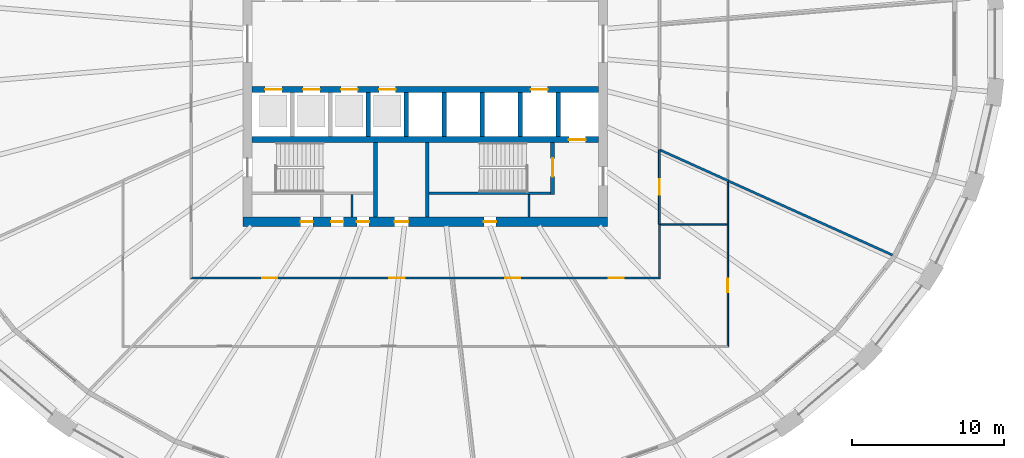
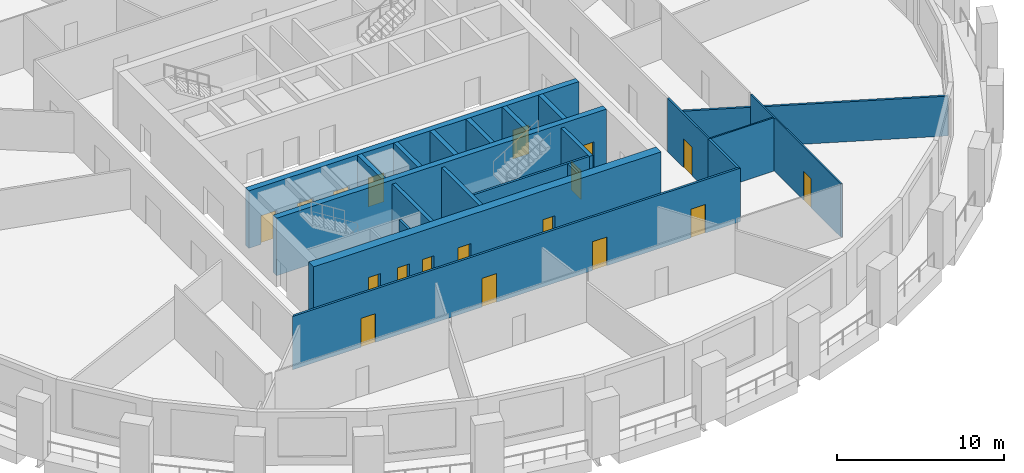
# One storey, part 4 of 11: 22 walls, 18 doors, 18 openings.
"""IFC4 building model written with IfcOpenShell, lengths in metres."""

from ifc_helpers import new_model, si_unit, direction, frame, frame_2d, origin, place, context, subcontext, project, spatial, polyline, rectangle, outline, extrude, material, layer, layer_set, type_object, element, fill, save


model = new_model("IFC4")

# Units and contexts
model_context = context("Model", 3, precision=1e-05, world=origin(), true_north=direction((0.0, 1.0)))
body_context = subcontext(model_context, "Body", "Model", "MODEL_VIEW")
ifc_project = project(units=[si_unit("LENGTHUNIT", "METRE"), si_unit("AREAUNIT", "SQUARE_METRE"), si_unit("VOLUMEUNIT", "CUBIC_METRE"), si_unit("PLANEANGLEUNIT", "RADIAN"), si_unit("MASSUNIT", "GRAM", prefix="KILO")], contexts=[model_context])

# Site, building, storey
site_placement = place(None, origin())
site = spatial("IfcSite", under=ifc_project, at=site_placement, CompositionType="ELEMENT")
building_placement = place(site_placement, origin())
building = spatial("IfcBuilding", under=site, at=building_placement, Name="Halqa Exchange Tower", CompositionType="ELEMENT")
storey_placement = place(building_placement, frame((0.0, 0.0, 36.10009765625)))
storey = spatial("IfcBuildingStorey", under=building, at=storey_placement, Name="L07", CompositionType="ELEMENT", Elevation=36.10009765625)

# Wall, openings, doors
ifc_material_1 = material(Name="Fire-rated gypsum board")
ifc_layer_1 = layer(ifc_material_1, 0.14990234375)
ifc_layer_set_1 = layer_set([ifc_layer_1], Name="Fire-rated gypsum board")
wall_type_1 = type_object("IfcWallType", Name="Fire partition EI 60 150", PredefinedType="PARTITIONING", material=ifc_layer_set_1)
wall_1_placement = place(storey_placement, frame((-15.47509765625, -15.39990234375, 0.0), z_axis=(0.0, 0.0, 1.0), x_axis=(1.0, 0.0, 0.0)))
wall_1 = element("IfcWall", 1, at=wall_1_placement, inside=storey, type_object=wall_type_1, Name="L07-PWL-010", PredefinedType="PARTITIONING", context=body_context, shape_type="SweptSolid", body=[
    extrude(outline(polyline([(0.000244140625, -0.074951171875), (1.9345703125, -0.074951171875), (3.868896484375, -0.074951171875), (5.80322265625, -0.074951171875), (7.73779296875, -0.074951171875), (9.672119140625, -0.074951171875), (11.6064453125, -0.074951171875), (13.540771484375, -0.074951171875), (15.47509765625, -0.074951171875), (17.409423828125, -0.074951171875), (19.34375, -0.074951171875), (21.278076171875, -0.074951171875), (23.21240234375, -0.074951171875), (25.14697265625, -0.074951171875), (27.081298828125, -0.074951171875), (29.015625, -0.074951171875), (30.949951171875, -0.074951171875), (30.800048828125, 0.074951171875), (28.884521484375, 0.074951171875), (26.96875, 0.074951171875), (25.05322265625, 0.074951171875), (23.1376953125, 0.074951171875), (21.221923828125, 0.074951171875), (19.306396484375, 0.074951171875), (17.390625, 0.074951171875), (15.47509765625, 0.074951171875), (13.5595703125, 0.074951171875), (11.643798828125, 0.074951171875), (9.728271484375, 0.074951171875), (7.8125, 0.074951171875), (5.89697265625, 0.074951171875), (3.9814453125, 0.074951171875), (2.065673828125, 0.074951171875), (0.150146484375, 0.074951171875), (0.000244140625, -0.074951171875)])), origin(), (0.0, 0.0, 1.0), 3.89990234375),
])
opening_1_placement = place(wall_1_placement, frame((4.7451171875, 0.0, 0.0)))
opening_1 = element("IfcOpeningElement", 2, at=opening_1_placement, cuts=wall_1, Name="Opening 02-07", PredefinedType="OPENING", context=body_context, shape_type="SweptSolid", body=[
    extrude(rectangle(XDim=1.0, YDim=2.10009765625, at=frame_2d((0.5, 1.050048828125))), frame((0.0, 0.0869140625, 0.0), z_axis=(0.0, -1.0, 0.0), x_axis=(1.0, 0.0, 0.0)), (0.0, 0.0, 1.0), 0.173828125),
])
opening_2_placement = place(wall_1_placement, frame((13.110107421875, 0.0, 0.0)))
opening_2 = element("IfcOpeningElement", 3, at=opening_2_placement, cuts=wall_1, Name="Opening 02-08", PredefinedType="OPENING", context=body_context, shape_type="SweptSolid", body=[
    extrude(rectangle(XDim=1.0, YDim=2.10009765625, at=frame_2d((0.5, 1.050048828125))), frame((0.0, 0.0869140625, 0.0), z_axis=(0.0, -1.0, 0.0), x_axis=(1.0, 0.0, 0.0)), (0.0, 0.0, 1.0), 0.173828125),
])
opening_3_placement = place(wall_1_placement, frame((20.735107421875, 0.0, 0.0)))
opening_3 = element("IfcOpeningElement", 4, at=opening_3_placement, cuts=wall_1, Name="Opening 02-09", PredefinedType="OPENING", context=body_context, shape_type="SweptSolid", body=[
    extrude(rectangle(XDim=1.0, YDim=2.10009765625, at=frame_2d((0.5, 1.050048828125))), frame((0.0, 0.0869140625, 0.0), z_axis=(0.0, -1.0, 0.0), x_axis=(1.0, 0.0, 0.0)), (0.0, 0.0, 1.0), 0.173828125),
])
opening_4_placement = place(wall_1_placement, frame((27.5400390625, 0.0, 0.0)))
opening_4 = element("IfcOpeningElement", 5, at=opening_4_placement, cuts=wall_1, Name="Opening 02-11", PredefinedType="OPENING", context=body_context, shape_type="SweptSolid", body=[
    extrude(rectangle(XDim=1.0, YDim=2.10009765625, at=frame_2d((0.5, 1.050048828125))), frame((0.0, 0.0869140625, 0.0), z_axis=(0.0, -1.0, 0.0), x_axis=(1.0, 0.0, 0.0)), (0.0, 0.0, 1.0), 0.173828125),
])
ifc_material_2 = material(Name="Steel fire door leaf", Category="steel")
door_type_1 = type_object("IfcDoorType", Name="Fire door FD30S 1000 x 2100", OperationType="SINGLE_SWING_LEFT", PredefinedType="DOOR", material=ifc_material_2)
door_1_placement = place(opening_1_placement, frame((1.0, 0.0, 0.0), z_axis=(0.0, 0.0, 1.0), x_axis=(-1.0, 0.0, 0.0)))
door_1 = element("IfcDoor", 6, at=door_1_placement, inside=storey, type_object=door_type_1, Name="L07-IDR-007", OperationType="SINGLE_SWING_LEFT", OverallHeight=2.10009765625, OverallWidth=1.0, PredefinedType="DOOR", context=body_context, shape_type="SweptSolid", body=[
    extrude(rectangle(XDim=1.0, YDim=2.10009765625, at=frame_2d((0.5, 1.050048828125))), frame((0.0, 0.02490234375, 0.0), z_axis=(0.0, -1.0, 0.0), x_axis=(1.0, 0.0, 0.0)), (0.0, 0.0, 1.0), 0.050048828125),
])
fill(opening_1, door_1)
door_2_placement = place(opening_2_placement, frame((1.0, 0.0, 0.0), z_axis=(0.0, 0.0, 1.0), x_axis=(-1.0, 0.0, 0.0)))
door_2 = element("IfcDoor", 7, at=door_2_placement, inside=storey, type_object=door_type_1, Name="L07-IDR-008", OperationType="SINGLE_SWING_RIGHT", OverallHeight=2.10009765625, OverallWidth=1.0, PredefinedType="DOOR", context=body_context, shape_type="SweptSolid", body=[
    extrude(rectangle(XDim=1.0, YDim=2.10009765625, at=frame_2d((0.5, 1.050048828125))), frame((0.0, 0.02490234375, 0.0), z_axis=(0.0, -1.0, 0.0), x_axis=(1.0, 0.0, 0.0)), (0.0, 0.0, 1.0), 0.050048828125),
])
fill(opening_2, door_2)
door_3_placement = place(opening_3_placement, frame((1.0, 0.0, 0.0), z_axis=(0.0, 0.0, 1.0), x_axis=(-1.0, 0.0, 0.0)))
door_3 = element("IfcDoor", 8, at=door_3_placement, inside=storey, type_object=door_type_1, Name="L07-IDR-009", OperationType="SINGLE_SWING_RIGHT", OverallHeight=2.10009765625, OverallWidth=1.0, PredefinedType="DOOR", context=body_context, shape_type="SweptSolid", body=[
    extrude(rectangle(XDim=1.0, YDim=2.10009765625, at=frame_2d((0.5, 1.050048828125))), frame((0.0, 0.02490234375, 0.0), z_axis=(0.0, -1.0, 0.0), x_axis=(1.0, 0.0, 0.0)), (0.0, 0.0, 1.0), 0.050048828125),
])
fill(opening_3, door_3)
door_4_placement = place(opening_4_placement, frame((1.0, 0.0, 0.0), z_axis=(0.0, 0.0, 1.0), x_axis=(-1.0, 0.0, 0.0)))
door_4 = element("IfcDoor", 9, at=door_4_placement, inside=storey, type_object=door_type_1, Name="L07-IDR-011", OperationType="SINGLE_SWING_LEFT", OverallHeight=2.10009765625, OverallWidth=1.0, PredefinedType="DOOR", context=body_context, shape_type="SweptSolid", body=[
    extrude(rectangle(XDim=1.0, YDim=2.10009765625, at=frame_2d((0.5, 1.050048828125))), frame((0.0, 0.02490234375, 0.0), z_axis=(0.0, -1.0, 0.0), x_axis=(1.0, 0.0, 0.0)), (0.0, 0.0, 1.0), 0.050048828125),
])
fill(opening_4, door_4)

# Walls
wall_2_placement = place(storey_placement, frame((15.39990234375, -11.8701171875, 0.0), z_axis=(0.0, 0.0, 1.0), x_axis=(0.0, -1.0, 0.0)))
element("IfcWall", 10, at=wall_2_placement, inside=storey, type_object=wall_type_1, Name="L07-PWL-025", PredefinedType="PARTITIONING", context=body_context, shape_type="SweptSolid", body=[
    extrude(outline(polyline([(0.0, -0.074951171875), (1.7275390625, -0.074951171875), (3.454833984375, -0.074951171875), (3.604736328125, 0.074951171875), (1.80224609375, 0.074951171875), (0.0, 0.074951171875), (0.0, -0.074951171875)])), origin(), (0.0, 0.0, 1.0), 3.89990234375),
])
wall_3_placement = place(storey_placement, frame((15.444091796875, -6.97998046875, 0.0), z_axis=(0.0, 0.0, 1.0), x_axis=(0.911554382715, -0.411179531778, 0.0)))
element("IfcWall", 11, at=wall_3_placement, inside=storey, type_object=wall_type_1, Name="L07-PWL-028", PredefinedType="PARTITIONING", context=body_context, shape_type="SweptSolid", body=[
    extrude(outline(polyline([(0.05126953125, -0.074951171875), (1.67822265625, -0.074951171875), (3.305419921875, -0.074951171875), (4.932373046875, -0.074951171875), (4.932373046875, -0.053955078125), (4.932373046875, 0.074951171875), (4.805419921875, 0.074951171875), (4.800537109375, 0.07275390625), (4.799560546875, 0.074951171875), (3.19970703125, 0.074951171875), (1.599853515625, 0.074951171875), (0.0, 0.074951171875), (0.02001953125, 0.031005859375), (0.00634765625, 0.024658203125), (0.05126953125, -0.074951171875)])), origin(), (0.0, 0.0, 1.0), 2.909912109375),
])
wall_4_placement = place(storey_placement, frame((19.9365234375, -9.0166015625, 0.0), z_axis=(0.0, 0.0, 1.0), x_axis=(0.911435859514, -0.411442187909, 0.0)))
element("IfcWall", 12, at=wall_4_placement, inside=storey, type_object=wall_type_1, Name="L07-PWL-034", PredefinedType="PARTITIONING", context=body_context, shape_type="SweptSolid", body=[
    extrude(outline(polyline([(0.0, -0.074951171875), (0.045166015625, -0.074951171875), (0.048095703125, -0.07373046875), (0.048583984375, -0.074951171875), (2.013427734375, -0.074951171875), (3.978271484375, -0.074951171875), (5.943115234375, -0.074951171875), (7.907958984375, -0.074951171875), (9.872802734375, -0.074951171875), (11.837646484375, -0.074951171875), (11.85595703125, -0.00146484375), (11.858154296875, 0.0693359375), (11.858154296875, 0.074951171875), (9.8818359375, 0.074951171875), (7.905517578125, 0.074951171875), (5.92919921875, 0.074951171875), (3.95263671875, 0.074951171875), (1.976318359375, 0.074951171875), (0.0, 0.074951171875), (0.0, -0.074951171875)])), origin(), (0.0, 0.0, 1.0), 2.909912109375),
])

# Wall, opening, door
ifc_material_3 = material(Name="Fire-rated glazing", Category="glass")
ifc_layer_2 = layer(ifc_material_3, 0.1201171875)
ifc_layer_set_2 = layer_set([ifc_layer_2], Name="Fire-rated glazing")
wall_type_2 = type_object("IfcWallType", Name="Glazed fire partition EI 60 120", PredefinedType="PARTITIONING", material=ifc_layer_set_2)
wall_5_placement = place(storey_placement, frame((15.39990234375, -6.9599609375, 0.0), z_axis=(0.0, 0.0, 1.0), x_axis=(0.0, -1.0, 0.0)))
wall_5 = element("IfcWall", 13, at=wall_5_placement, inside=storey, type_object=wall_type_2, Name="L07-PWL-026", PredefinedType="PARTITIONING", context=body_context, shape_type="SweptSolid", body=[
    extrude(rectangle(XDim=4.91015625, YDim=0.1201171875, at=frame_2d((2.455078125, 0.0))), origin(), (0.0, 0.0, 1.0), 3.89990234375),
])
opening_5_placement = place(wall_5_placement, frame((1.955078125, 0.0, 0.0)))
opening_5 = element("IfcOpeningElement", 14, at=opening_5_placement, cuts=wall_5, Name="Opening 02-10", PredefinedType="OPENING", context=body_context, shape_type="SweptSolid", body=[
    extrude(rectangle(XDim=1.0, YDim=2.10009765625, at=frame_2d((0.5, 1.050048828125))), frame((0.0, 0.072021484375, 0.0), z_axis=(0.0, -1.0, 0.0), x_axis=(1.0, 0.0, 0.0)), (0.0, 0.0, 1.0), 0.14404296875),
])
door_5_placement = place(opening_5_placement, origin())
door_5 = element("IfcDoor", 15, at=door_5_placement, inside=storey, type_object=door_type_1, Name="L07-IDR-010", OperationType="SINGLE_SWING_RIGHT", OverallHeight=2.10009765625, OverallWidth=1.0, PredefinedType="DOOR", context=body_context, shape_type="SweptSolid", body=[
    extrude(rectangle(XDim=1.0, YDim=2.10009765625, at=frame_2d((0.5, 1.050048828125))), frame((0.0, 0.02490234375, 0.0), z_axis=(0.0, -1.0, 0.0), x_axis=(1.0, 0.0, 0.0)), (0.0, 0.0, 1.0), 0.050048828125),
])
fill(opening_5, door_5)

ifc_material_4 = material(Name="Gypsum board")
ifc_layer_3 = layer(ifc_material_4, 0.10009765625)
ifc_layer_set_3 = layer_set([ifc_layer_3], Name="Gypsum board")
wall_type_3 = type_object("IfcWallType", Name="Partition 100 gypsum", PredefinedType="PARTITIONING", material=ifc_layer_set_3)
wall_6_placement = place(storey_placement, frame((19.89990234375, -19.949951171875, 0.0), z_axis=(0.0, 0.0, 1.0), x_axis=(0.0, 1.0, 0.0)))
wall_6 = element("IfcWall", 16, at=wall_6_placement, inside=storey, type_object=wall_type_3, Name="L07-PWL-032", PredefinedType="PARTITIONING", context=body_context, shape_type="SweptSolid", body=[
    extrude(outline(polyline([(10.846435546875, 0.050048828125), (9.055419921875, 0.050048828125), (7.264404296875, 0.050048828125), (5.47314453125, 0.050048828125), (3.68212890625, 0.050048828125), (1.89111328125, 0.050048828125), (0.10009765625, 0.050048828125), (0.0, -0.050048828125), (1.8076171875, -0.050048828125), (3.615478515625, -0.050048828125), (5.42333984375, -0.050048828125), (7.23095703125, -0.050048828125), (9.03857421875, -0.050048828125), (10.846435546875, -0.050048828125), (10.846435546875, 0.050048828125)])), origin(), (0.0, 0.0, 1.0), 3.89990234375),
])
opening_6_placement = place(wall_6_placement, frame((3.614990234375, 0.0, 0.0)))
opening_6 = element("IfcOpeningElement", 17, at=opening_6_placement, cuts=wall_6, Name="Opening 02-22", PredefinedType="OPENING", context=body_context, shape_type="SweptSolid", body=[
    extrude(rectangle(XDim=0.89990234375, YDim=2.10009765625, at=frame_2d((0.449951171875, 1.050048828125))), frame((0.0, 0.06201171875, 0.0), z_axis=(0.0, -1.0, 0.0), x_axis=(1.0, 0.0, 0.0)), (0.0, 0.0, 1.0), 0.1240234375),
])
ifc_material_5 = material(Name="Timber door leaf", Category="wood")
door_type_2 = type_object("IfcDoorType", Name="Door 900 x 2100", OperationType="SINGLE_SWING_LEFT", PredefinedType="DOOR", material=ifc_material_5)
door_6_placement = place(opening_6_placement, origin())
door_6 = element("IfcDoor", 18, at=door_6_placement, inside=storey, type_object=door_type_2, Name="L07-IDR-022", OperationType="SINGLE_SWING_LEFT", OverallHeight=2.10009765625, OverallWidth=0.89990234375, PredefinedType="DOOR", context=body_context, shape_type="SweptSolid", body=[
    extrude(rectangle(XDim=0.89990234375, YDim=2.10009765625, at=frame_2d((0.449951171875, 1.050048828125))), frame((0.0, 0.02490234375, 0.0), z_axis=(0.0, -1.0, 0.0), x_axis=(1.0, 0.0, 0.0)), (0.0, 0.0, 1.0), 0.050048828125),
])
fill(opening_6, door_6)

# Walls
wall_7_placement = place(storey_placement, frame((19.85009765625, -11.8701171875, 0.0), z_axis=(0.0, 0.0, 1.0), x_axis=(-1.0, 0.0, 0.0)))
element("IfcWall", 19, at=wall_7_placement, inside=storey, type_object=wall_type_3, Name="L07-PWL-033", PredefinedType="PARTITIONING", context=body_context, shape_type="SweptSolid", body=[
    extrude(outline(polyline([(4.3896484375, -0.050048828125), (4.3896484375, 0.0), (4.375, 0.0), (4.375, 0.050048828125), (2.916748046875, 0.050048828125), (1.45849609375, 0.050048828125), (0.0, 0.050048828125), (0.0, -0.050048828125), (1.46337890625, -0.050048828125), (2.926513671875, -0.050048828125), (4.3896484375, -0.050048828125)])), origin(), (0.0, 0.0, 1.0), 3.89990234375),
])
ifc_layer_4 = layer(ifc_material_4, 0.14990234375)
ifc_layer_set_4 = layer_set([ifc_layer_4], Name="Gypsum board")
wall_type_4 = type_object("IfcWallType", Name="Penthouse riser wall 150 gypsum", PredefinedType="PARTITIONING", material=ifc_layer_set_4)
for number, where, z_axis, x_axis, name in (
    (20, (-4.824951171875, -11.39990234375, 0.0), (0.0, 0.0, 1.0), (0.0, 1.0, 0.0), "Partition W4.825 S"),
    (21, (6.824951171875, -11.39990234375, 0.0), (0.0, 0.0, 1.0), (0.0, 1.0, 0.0), "Firefighting lobby west wall S"),
):
    element("IfcWall", number, at=place(storey_placement, frame(where, z_axis=z_axis, x_axis=x_axis)), inside=storey, type_object=wall_type_4, Name=name, PredefinedType="PARTITIONING", context=body_context, shape_type="SweptSolid", body=[
        extrude(rectangle(XDim=1.5, YDim=0.14990234375, at=frame_2d((0.75, 0.0))), origin(), (0.0, 0.0, 1.0), 3.89990234375),
    ])
ifc_material_6 = material(Name="Concrete C60/75", Category="concrete")
ifc_layer_5 = layer(ifc_material_6, 0.300048828125)
ifc_layer_set_5 = layer_set([ifc_layer_5], Name="Concrete C60/75")
wall_type_5 = type_object("IfcWallType", Name="RC core wall 300", PredefinedType="SHEAR", material=ifc_layer_set_5)
for number, where, z_axis, x_axis, name in (
    (22, (-3.75, -6.10009765625, 0.0), (0.0, 0.0, 1.0), (0.0, 1.0, 0.0), "Shaft divider S3"),
    (23, (-1.25, -6.10009765625, 0.0), (0.0, 0.0, 1.0), (0.0, 1.0, 0.0), "Shaft divider S4"),
    (24, (1.25, -6.10009765625, 0.0), (0.0, 0.0, 1.0), (0.0, 1.0, 0.0), "Shaft divider S5"),
    (25, (3.75, -6.10009765625, 0.0), (0.0, 0.0, 1.0), (0.0, 1.0, 0.0), "Shaft divider S6"),
    (26, (6.25, -6.10009765625, 0.0), (0.0, 0.0, 1.0), (0.0, 1.0, 0.0), "Shaft divider S7"),
    (27, (8.75, -6.10009765625, 0.0), (0.0, 0.0, 1.0), (0.0, 1.0, 0.0), "Shaft divider S8"),
):
    element("IfcWall", number, at=place(storey_placement, frame(where, z_axis=z_axis, x_axis=x_axis)), inside=storey, type_object=wall_type_5, Name=name, PredefinedType="SHEAR", context=body_context, shape_type="SweptSolid", body=[
        extrude(rectangle(XDim=2.900146484375, YDim=0.300048828125, at=frame_2d((1.4501953125, 0.0))), origin(), (0.0, 0.0, 1.0), 4.199951171875),
    ])

# Wall, openings, doors
ifc_material_7 = material(Name="Concrete C80/95", Category="concrete")
ifc_layer_6 = layer(ifc_material_7, 0.39990234375)
ifc_layer_set_6 = layer_set([ifc_layer_6], Name="Concrete C80/95")
wall_type_6 = type_object("IfcWallType", Name="RC core wall 400 C80/95", PredefinedType="SHEAR", material=ifc_layer_set_6)
wall_8_placement = place(storey_placement, frame((-11.39990234375, -3.0, 0.0), z_axis=(0.0, 0.0, 1.0), x_axis=(1.0, 0.0, 0.0)))
wall_8 = element("IfcWall", 28, at=wall_8_placement, inside=storey, type_object=wall_type_6, Name="Lift row front wall S", PredefinedType="SHEAR", context=body_context, shape_type="SweptSolid", body=[
    extrude(rectangle(XDim=22.7998046875, YDim=0.39990234375, at=frame_2d((11.39990234375, 0.0))), origin(), (0.0, 0.0, 1.0), 4.199951171875),
])
opening_7_placement = place(wall_8_placement, frame((0.85009765625, 0.0, 0.0)))
opening_7 = element("IfcOpeningElement", 29, at=opening_7_placement, cuts=wall_8, Name="Opening LD-LR5-T02", PredefinedType="OPENING", context=body_context, shape_type="SweptSolid", body=[
    extrude(rectangle(XDim=1.10009765625, YDim=2.10009765625, at=frame_2d((0.550048828125, 1.050048828125))), frame((0.0, 0.2119140625, 0.0), z_axis=(0.0, -1.0, 0.0), x_axis=(1.0, 0.0, 0.0)), (0.0, 0.0, 1.0), 0.423828125),
])
opening_8_placement = place(wall_8_placement, frame((3.35009765625, 0.0, 0.0)))
opening_8 = element("IfcOpeningElement", 30, at=opening_8_placement, cuts=wall_8, Name="Opening LD-LR6-T02", PredefinedType="OPENING", context=body_context, shape_type="SweptSolid", body=[
    extrude(rectangle(XDim=1.10009765625, YDim=2.10009765625, at=frame_2d((0.550048828125, 1.050048828125))), frame((0.0, 0.2119140625, 0.0), z_axis=(0.0, -1.0, 0.0), x_axis=(1.0, 0.0, 0.0)), (0.0, 0.0, 1.0), 0.423828125),
])
opening_9_placement = place(wall_8_placement, frame((5.85009765625, 0.0, 0.0)))
opening_9 = element("IfcOpeningElement", 31, at=opening_9_placement, cuts=wall_8, Name="Opening LD-LR7-T02", PredefinedType="OPENING", context=body_context, shape_type="SweptSolid", body=[
    extrude(rectangle(XDim=1.10009765625, YDim=2.10009765625, at=frame_2d((0.550048828125, 1.050048828125))), frame((0.0, 0.2119140625, 0.0), z_axis=(0.0, -1.0, 0.0), x_axis=(1.0, 0.0, 0.0)), (0.0, 0.0, 1.0), 0.423828125),
])
opening_10_placement = place(wall_8_placement, frame((8.35009765625, 0.0, 0.0)))
opening_10 = element("IfcOpeningElement", 32, at=opening_10_placement, cuts=wall_8, Name="Opening LD-LR8-T02", PredefinedType="OPENING", context=body_context, shape_type="SweptSolid", body=[
    extrude(rectangle(XDim=1.10009765625, YDim=2.10009765625, at=frame_2d((0.550048828125, 1.050048828125))), frame((0.0, 0.2119140625, 0.0), z_axis=(0.0, -1.0, 0.0), x_axis=(1.0, 0.0, 0.0)), (0.0, 0.0, 1.0), 0.423828125),
])
opening_11_placement = place(wall_8_placement, frame((18.35009765625, 0.0, 0.0)))
opening_11 = element("IfcOpeningElement", 33, at=opening_11_placement, cuts=wall_8, Name="Opening LD-SV2-T02", PredefinedType="OPENING", context=body_context, shape_type="SweptSolid", body=[
    extrude(rectangle(XDim=1.10009765625, YDim=2.10009765625, at=frame_2d((0.550048828125, 1.050048828125))), frame((0.0, 0.2119140625, 0.0), z_axis=(0.0, -1.0, 0.0), x_axis=(1.0, 0.0, 0.0)), (0.0, 0.0, 1.0), 0.423828125),
])
ifc_material_8 = material(Name="Stainless steel", Category="steel")
door_type_3 = type_object("IfcDoorType", Name="Lift landing door 1100 x 2100", OperationType="SLIDING_TO_LEFT", PredefinedType="DOOR", material=ifc_material_8)
door_7_placement = place(opening_7_placement, origin())
door_7 = element("IfcDoor", 34, at=door_7_placement, inside=storey, type_object=door_type_3, Name="Lift landing door LR5", OperationType="SLIDING_TO_LEFT", OverallHeight=2.10009765625, OverallWidth=1.10009765625, PredefinedType="DOOR", context=body_context, shape_type="SweptSolid", body=[
    extrude(rectangle(XDim=1.10009765625, YDim=2.10009765625, at=frame_2d((0.550048828125, 1.050048828125))), frame((0.0, 0.02490234375, 0.0), z_axis=(0.0, -1.0, 0.0), x_axis=(1.0, 0.0, 0.0)), (0.0, 0.0, 1.0), 0.050048828125),
])
fill(opening_7, door_7)
door_8_placement = place(opening_8_placement, origin())
door_8 = element("IfcDoor", 35, at=door_8_placement, inside=storey, type_object=door_type_3, Name="Lift landing door LR6", OperationType="SLIDING_TO_LEFT", OverallHeight=2.10009765625, OverallWidth=1.10009765625, PredefinedType="DOOR", context=body_context, shape_type="SweptSolid", body=[
    extrude(rectangle(XDim=1.10009765625, YDim=2.10009765625, at=frame_2d((0.550048828125, 1.050048828125))), frame((0.0, 0.02490234375, 0.0), z_axis=(0.0, -1.0, 0.0), x_axis=(1.0, 0.0, 0.0)), (0.0, 0.0, 1.0), 0.050048828125),
])
fill(opening_8, door_8)
door_9_placement = place(opening_9_placement, origin())
door_9 = element("IfcDoor", 36, at=door_9_placement, inside=storey, type_object=door_type_3, Name="Lift landing door LR7", OperationType="SLIDING_TO_LEFT", OverallHeight=2.10009765625, OverallWidth=1.10009765625, PredefinedType="DOOR", context=body_context, shape_type="SweptSolid", body=[
    extrude(rectangle(XDim=1.10009765625, YDim=2.10009765625, at=frame_2d((0.550048828125, 1.050048828125))), frame((0.0, 0.02490234375, 0.0), z_axis=(0.0, -1.0, 0.0), x_axis=(1.0, 0.0, 0.0)), (0.0, 0.0, 1.0), 0.050048828125),
])
fill(opening_9, door_9)
door_10_placement = place(opening_10_placement, origin())
door_10 = element("IfcDoor", 37, at=door_10_placement, inside=storey, type_object=door_type_3, Name="Lift landing door LR8", OperationType="SLIDING_TO_LEFT", OverallHeight=2.10009765625, OverallWidth=1.10009765625, PredefinedType="DOOR", context=body_context, shape_type="SweptSolid", body=[
    extrude(rectangle(XDim=1.10009765625, YDim=2.10009765625, at=frame_2d((0.550048828125, 1.050048828125))), frame((0.0, 0.02490234375, 0.0), z_axis=(0.0, -1.0, 0.0), x_axis=(1.0, 0.0, 0.0)), (0.0, 0.0, 1.0), 0.050048828125),
])
fill(opening_10, door_10)
door_11_placement = place(opening_11_placement, origin())
door_11 = element("IfcDoor", 38, at=door_11_placement, inside=storey, type_object=door_type_3, Name="Lift landing door SV2", OperationType="SLIDING_TO_LEFT", OverallHeight=2.10009765625, OverallWidth=1.10009765625, PredefinedType="DOOR", context=body_context, shape_type="SweptSolid", body=[
    extrude(rectangle(XDim=1.10009765625, YDim=2.10009765625, at=frame_2d((0.550048828125, 1.050048828125))), frame((0.0, 0.02490234375, 0.0), z_axis=(0.0, -1.0, 0.0), x_axis=(1.0, 0.0, 0.0)), (0.0, 0.0, 1.0), 0.050048828125),
])
fill(opening_11, door_11)

# Wall, opening, door
wall_9_placement = place(storey_placement, frame((-11.39990234375, -6.300048828125, 0.0), z_axis=(0.0, 0.0, 1.0), x_axis=(1.0, 0.0, 0.0)))
wall_9 = element("IfcWall", 39, at=wall_9_placement, inside=storey, type_object=wall_type_6, Name="Lift row back wall S", PredefinedType="SHEAR", context=body_context, shape_type="SweptSolid", body=[
    extrude(rectangle(XDim=22.7998046875, YDim=0.39990234375, at=frame_2d((11.39990234375, 0.0))), origin(), (0.0, 0.0, 1.0), 4.199951171875),
])
opening_12_placement = place(wall_9_placement, frame((20.85009765625, 0.0, 0.0)))
opening_12 = element("IfcOpeningElement", 40, at=opening_12_placement, cuts=wall_9, Name="Opening LD-FF2-T02", PredefinedType="OPENING", context=body_context, shape_type="SweptSolid", body=[
    extrude(rectangle(XDim=1.10009765625, YDim=2.10009765625, at=frame_2d((0.550048828125, 1.050048828125))), frame((0.0, 0.2119140625, 0.0), z_axis=(0.0, -1.0, 0.0), x_axis=(1.0, 0.0, 0.0)), (0.0, 0.0, 1.0), 0.423828125),
])
door_12_placement = place(opening_12_placement, origin())
door_12 = element("IfcDoor", 41, at=door_12_placement, inside=storey, type_object=door_type_3, Name="Lift landing door FF2", OperationType="SLIDING_TO_LEFT", OverallHeight=2.10009765625, OverallWidth=1.10009765625, PredefinedType="DOOR", context=body_context, shape_type="SweptSolid", body=[
    extrude(rectangle(XDim=1.10009765625, YDim=2.10009765625, at=frame_2d((0.550048828125, 1.050048828125))), frame((0.0, 0.02490234375, 0.0), z_axis=(0.0, -1.0, 0.0), x_axis=(1.0, 0.0, 0.0)), (0.0, 0.0, 1.0), 0.050048828125),
])
fill(opening_12, door_12)

# Wall, openings, doors
ifc_layer_7 = layer(ifc_material_7, 0.60009765625)
ifc_layer_set_7 = layer_set([ifc_layer_7], Name="Concrete C80/95")
wall_type_7 = type_object("IfcWallType", Name="RC core wall 600 C80/95", PredefinedType="SHEAR", material=ifc_layer_set_7)
wall_10_placement = place(storey_placement, frame((-12.0, -11.699951171875, 0.0), z_axis=(0.0, 0.0, 1.0), x_axis=(1.0, 0.0, 0.0)))
wall_10 = element("IfcWall", 42, at=wall_10_placement, inside=storey, type_object=wall_type_7, Name="Core wall south", PredefinedType="SHEAR", context=body_context, shape_type="SweptSolid", body=[
    extrude(rectangle(XDim=24.0, YDim=0.60009765625, at=frame_2d((12.0, 0.0))), origin(), (0.0, 0.0, 1.0), 4.199951171875),
])
opening_13_placement = place(wall_10_placement, frame((9.97509765625, 0.0, 0.0)))
opening_13 = element("IfcOpeningElement", 43, at=opening_13_placement, cuts=wall_10, Name="Opening T02-C26", PredefinedType="OPENING", context=body_context, shape_type="SweptSolid", body=[
    extrude(rectangle(XDim=0.89990234375, YDim=2.10009765625, at=frame_2d((0.449951171875, 1.050048828125))), frame((0.0, 0.31201171875, 0.0), z_axis=(0.0, -1.0, 0.0), x_axis=(1.0, 0.0, 0.0)), (0.0, 0.0, 1.0), 0.6240234375),
])
opening_14_placement = place(wall_10_placement, frame((3.800048828125, 0.0, 0.0)))
opening_14 = element("IfcOpeningElement", 44, at=opening_14_placement, cuts=wall_10, Name="Opening T02-C27", PredefinedType="OPENING", context=body_context, shape_type="SweptSolid", body=[
    extrude(rectangle(XDim=0.800048828125, YDim=2.10009765625, at=frame_2d((0.39990234375, 1.050048828125))), frame((0.0, 0.31201171875, 0.0), z_axis=(0.0, -1.0, 0.0), x_axis=(1.0, 0.0, 0.0)), (0.0, 0.0, 1.0), 0.6240234375),
])
opening_15_placement = place(wall_10_placement, frame((5.800048828125, 0.0, 0.0)))
opening_15 = element("IfcOpeningElement", 45, at=opening_15_placement, cuts=wall_10, Name="Opening T02-C28", PredefinedType="OPENING", context=body_context, shape_type="SweptSolid", body=[
    extrude(rectangle(XDim=0.800048828125, YDim=2.10009765625, at=frame_2d((0.39990234375, 1.050048828125))), frame((0.0, 0.31201171875, 0.0), z_axis=(0.0, -1.0, 0.0), x_axis=(1.0, 0.0, 0.0)), (0.0, 0.0, 1.0), 0.6240234375),
])
opening_16_placement = place(wall_10_placement, frame((7.5, 0.0, 0.0)))
opening_16 = element("IfcOpeningElement", 46, at=opening_16_placement, cuts=wall_10, Name="Opening T02-C29", PredefinedType="OPENING", context=body_context, shape_type="SweptSolid", body=[
    extrude(rectangle(XDim=0.800048828125, YDim=2.10009765625, at=frame_2d((0.39990234375, 1.050048828125))), frame((0.0, 0.31201171875, 0.0), z_axis=(0.0, -1.0, 0.0), x_axis=(1.0, 0.0, 0.0)), (0.0, 0.0, 1.0), 0.6240234375),
])
opening_17_placement = place(wall_10_placement, frame((15.85009765625, 0.0, 0.0)))
opening_17 = element("IfcOpeningElement", 47, at=opening_17_placement, cuts=wall_10, Name="Opening T02-C30", PredefinedType="OPENING", context=body_context, shape_type="SweptSolid", body=[
    extrude(rectangle(XDim=0.800048828125, YDim=2.10009765625, at=frame_2d((0.39990234375, 1.050048828125))), frame((0.0, 0.31201171875, 0.0), z_axis=(0.0, -1.0, 0.0), x_axis=(1.0, 0.0, 0.0)), (0.0, 0.0, 1.0), 0.6240234375),
])
ifc_material_9 = material(Name="Timber fire door leaf", Category="wood")
door_type_4 = type_object("IfcDoorType", Name="Core room door FD30 900 x 2100", OperationType="SINGLE_SWING_LEFT", PredefinedType="DOOR", material=ifc_material_9)
door_13_placement = place(opening_13_placement, origin())
door_13 = element("IfcDoor", 48, at=door_13_placement, inside=storey, type_object=door_type_4, Name="Core room door", OperationType="SINGLE_SWING_LEFT", OverallHeight=2.10009765625, OverallWidth=0.89990234375, PredefinedType="DOOR", context=body_context, shape_type="SweptSolid", body=[
    extrude(rectangle(XDim=0.89990234375, YDim=2.10009765625, at=frame_2d((0.449951171875, 1.050048828125))), frame((0.0, 0.02490234375, 0.0), z_axis=(0.0, -1.0, 0.0), x_axis=(1.0, 0.0, 0.0)), (0.0, 0.0, 1.0), 0.050048828125),
])
fill(opening_13, door_13)
door_type_5 = type_object("IfcDoorType", Name="Riser door FD60 800 x 2100", OperationType="SINGLE_SWING_LEFT", PredefinedType="DOOR", material=ifc_material_2)
door_14_placement = place(opening_14_placement, origin())
door_14 = element("IfcDoor", 49, at=door_14_placement, inside=storey, type_object=door_type_5, Name="Core room door", OperationType="SINGLE_SWING_LEFT", OverallHeight=2.10009765625, OverallWidth=0.800048828125, PredefinedType="DOOR", context=body_context, shape_type="SweptSolid", body=[
    extrude(rectangle(XDim=0.800048828125, YDim=2.10009765625, at=frame_2d((0.39990234375, 1.050048828125))), frame((0.0, 0.02490234375, 0.0), z_axis=(0.0, -1.0, 0.0), x_axis=(1.0, 0.0, 0.0)), (0.0, 0.0, 1.0), 0.050048828125),
])
fill(opening_14, door_14)
door_15_placement = place(opening_15_placement, origin())
door_15 = element("IfcDoor", 50, at=door_15_placement, inside=storey, type_object=door_type_5, Name="Core room door", OperationType="SINGLE_SWING_RIGHT", OverallHeight=2.10009765625, OverallWidth=0.800048828125, PredefinedType="DOOR", context=body_context, shape_type="SweptSolid", body=[
    extrude(rectangle(XDim=0.800048828125, YDim=2.10009765625, at=frame_2d((0.39990234375, 1.050048828125))), frame((0.0, 0.02490234375, 0.0), z_axis=(0.0, -1.0, 0.0), x_axis=(1.0, 0.0, 0.0)), (0.0, 0.0, 1.0), 0.050048828125),
])
fill(opening_15, door_15)
door_16_placement = place(opening_16_placement, origin())
door_16 = element("IfcDoor", 51, at=door_16_placement, inside=storey, type_object=door_type_5, Name="Core room door", OperationType="SINGLE_SWING_RIGHT", OverallHeight=2.10009765625, OverallWidth=0.800048828125, PredefinedType="DOOR", context=body_context, shape_type="SweptSolid", body=[
    extrude(rectangle(XDim=0.800048828125, YDim=2.10009765625, at=frame_2d((0.39990234375, 1.050048828125))), frame((0.0, 0.02490234375, 0.0), z_axis=(0.0, -1.0, 0.0), x_axis=(1.0, 0.0, 0.0)), (0.0, 0.0, 1.0), 0.050048828125),
])
fill(opening_16, door_16)
door_17_placement = place(opening_17_placement, origin())
door_17 = element("IfcDoor", 52, at=door_17_placement, inside=storey, type_object=door_type_5, Name="Core room door", OperationType="SINGLE_SWING_LEFT", OverallHeight=2.10009765625, OverallWidth=0.800048828125, PredefinedType="DOOR", context=body_context, shape_type="SweptSolid", body=[
    extrude(rectangle(XDim=0.800048828125, YDim=2.10009765625, at=frame_2d((0.39990234375, 1.050048828125))), frame((0.0, 0.02490234375, 0.0), z_axis=(0.0, -1.0, 0.0), x_axis=(1.0, 0.0, 0.0)), (0.0, 0.0, 1.0), 0.050048828125),
])
fill(opening_17, door_17)

# Walls
ifc_material_10 = material(Name="Concrete C30/37", Category="concrete")
ifc_layer_8 = layer(ifc_material_10, 0.14990234375)
ifc_layer_set_8 = layer_set([ifc_layer_8], Name="Concrete C30/37")
wall_type_8 = type_object("IfcWallType", Name="RC stair wall 150 C30/37", PredefinedType="SHEAR", material=ifc_layer_set_8)
wall_11_placement = place(storey_placement, frame((0.25, -9.824951171875, 0.0), z_axis=(0.0, 0.0, 1.0), x_axis=(1.0, 0.0, 0.0)))
element("IfcWall", 53, at=wall_11_placement, inside=storey, type_object=wall_type_8, Name="Stair ST2 north wall S", PredefinedType="SHEAR", context=body_context, shape_type="SweptSolid", body=[
    extrude(rectangle(XDim=8.0, YDim=0.14990234375, at=frame_2d((4.0, 0.0))), origin(), (0.0, 0.0, 1.0), 3.89990234375),
])
ifc_layer_9 = layer(ifc_material_10, 0.25)
ifc_layer_set_9 = layer_set([ifc_layer_9], Name="Concrete C30/37")
wall_type_9 = type_object("IfcWallType", Name="RC stair wall 250 C30/37", PredefinedType="SHEAR", material=ifc_layer_set_9)
for number, where, z_axis, x_axis, name in (
    (54, (-3.27490234375, -11.39990234375, 0.0), (0.0, 0.0, 1.0), (0.0, 1.0, 0.0), "Stair ST1 east wall S"),
    (55, (0.125, -11.39990234375, 0.0), (0.0, 0.0, 1.0), (0.0, 1.0, 0.0), "Stair ST2 west wall S"),
):
    element("IfcWall", number, at=place(storey_placement, frame(where, z_axis=z_axis, x_axis=x_axis)), inside=storey, type_object=wall_type_9, Name=name, PredefinedType="SHEAR", context=body_context, shape_type="SweptSolid", body=[
        extrude(rectangle(XDim=4.89990234375, YDim=0.25, at=frame_2d((2.449951171875, 0.0))), origin(), (0.0, 0.0, 1.0), 3.89990234375),
    ])

# Wall, opening, door
wall_12_placement = place(storey_placement, frame((8.375, -9.89990234375, 0.0), z_axis=(0.0, 0.0, 1.0), x_axis=(0.0, 1.0, 0.0)))
wall_12 = element("IfcWall", 56, at=wall_12_placement, inside=storey, type_object=wall_type_9, Name="Stair ST2 east wall S", PredefinedType="SHEAR", context=body_context, shape_type="SweptSolid", body=[
    extrude(rectangle(XDim=3.39990234375, YDim=0.25, at=frame_2d((1.699951171875, 0.0))), origin(), (0.0, 0.0, 1.0), 3.89990234375),
])
opening_18_placement = place(wall_12_placement, frame((1.175048828125, 0.0, 0.0)))
opening_18 = element("IfcOpeningElement", 57, at=opening_18_placement, cuts=wall_12, Name="Opening T02-C18", PredefinedType="OPENING", context=body_context, shape_type="SweptSolid", body=[
    extrude(rectangle(XDim=1.199951171875, YDim=2.10009765625, at=frame_2d((0.60009765625, 1.050048828125))), frame((0.0, 0.136962890625, 0.0), z_axis=(0.0, -1.0, 0.0), x_axis=(1.0, 0.0, 0.0)), (0.0, 0.0, 1.0), 0.27392578125),
])
door_type_6 = type_object("IfcDoorType", Name="Stair door FD90 1200 x 2100", OperationType="SINGLE_SWING_LEFT", PredefinedType="DOOR", material=ifc_material_2)
door_18_placement = place(opening_18_placement, origin())
door_18 = element("IfcDoor", 58, at=door_18_placement, inside=storey, type_object=door_type_6, Name="Stair door ST4", OperationType="SINGLE_SWING_LEFT", OverallHeight=2.10009765625, OverallWidth=1.199951171875, PredefinedType="DOOR", context=body_context, shape_type="SweptSolid", body=[
    extrude(rectangle(XDim=1.199951171875, YDim=2.10009765625, at=frame_2d((0.60009765625, 1.050048828125))), frame((0.0, 0.02490234375, 0.0), z_axis=(0.0, -1.0, 0.0), x_axis=(1.0, 0.0, 0.0)), (0.0, 0.0, 1.0), 0.050048828125),
])
fill(opening_18, door_18)

save(model, "model.ifc")
